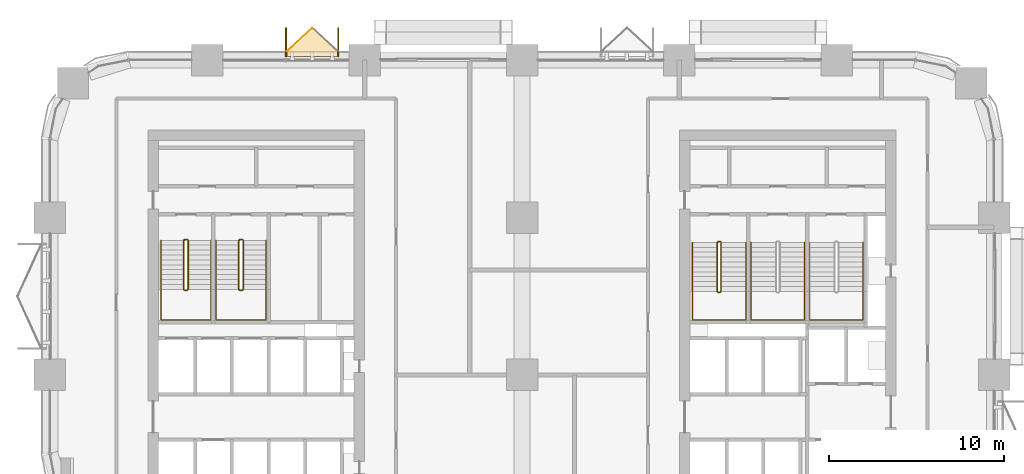
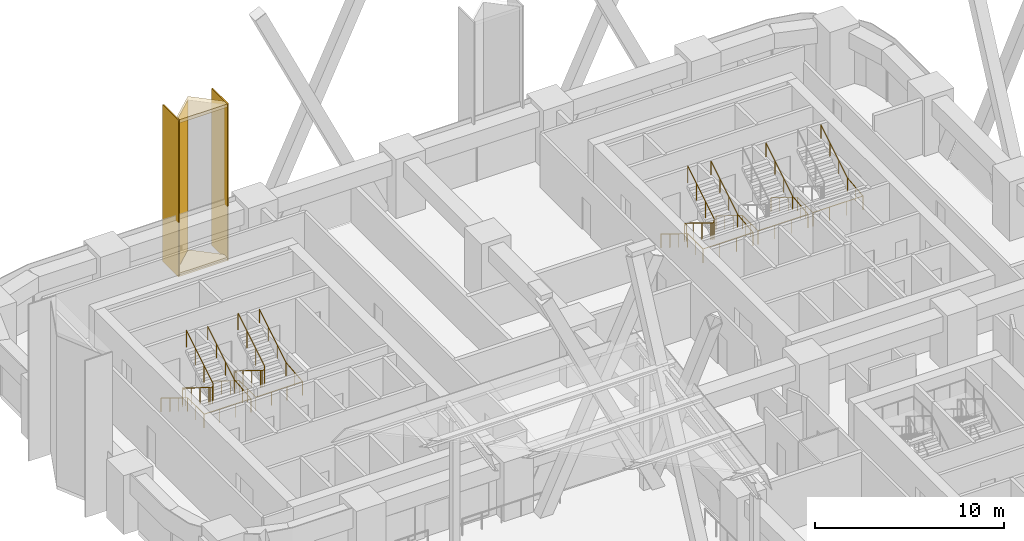
# One storey, part 21 of 22: 8 railings, 5 coverings.
"""IFC4 building model written with IfcOpenShell, lengths in metres."""

from ifc_helpers import new_model, si_unit, direction, frame, origin, origin_2d, place, context, subcontext, project, spatial, polyline, rectangle, circle, outline, extrude, material, layer, layer_set, type_object, element, save


model = new_model("IFC4")

# Units and contexts
model_context = context("Model", 3, precision=1e-05, world=origin(), true_north=direction((0.0, 1.0)))
body_context = subcontext(model_context, "Body", "Model", "MODEL_VIEW")
ifc_project = project(units=[si_unit("LENGTHUNIT", "METRE"), si_unit("AREAUNIT", "SQUARE_METRE"), si_unit("VOLUMEUNIT", "CUBIC_METRE"), si_unit("PLANEANGLEUNIT", "RADIAN"), si_unit("MASSUNIT", "GRAM", prefix="KILO")], contexts=[model_context])

# Site, building, storey
site_placement = place(None, origin())
site = spatial("IfcSite", under=ifc_project, at=site_placement, CompositionType="ELEMENT")
building_placement = place(site_placement, origin())
building = spatial("IfcBuilding", under=site, at=building_placement, Name="Tessera Arch", CompositionType="ELEMENT")
storey_placement = place(building_placement, frame((0.0, 0.0, 77.800048828125)))
storey = spatial("IfcBuildingStorey", under=building, at=storey_placement, Name="L17", CompositionType="ELEMENT", Elevation=77.800048828125)

# Railings
ifc_material_1 = material(Name="Painted steel balustrade", Category="steel")
railing_type_1 = type_object("IfcRailingType", Name="Stair guard 1100", PredefinedType="GUARDRAIL", material=ifc_material_1)
railing_1_placement = place(storey_placement, frame((38.219970703125, 43.6298828125, 0.0)))
element("IfcRailing", 1, at=railing_1_placement, inside=storey, type_object=railing_type_1, Name="L17 S1a stair guard 1", PredefinedType="GUARDRAIL", context=body_context, shape_type="SweptSolid", body=[
    extrude(circle(Radius=0.02392578125, at=origin_2d()), frame((-0.00390625, 0.0, 1.076171875), z_axis=(1.0, 0.0, 0.0), x_axis=(0.0, 1.0, 0.0)), (0.0, 0.0, 1.0), 0.1181640625),
    extrude(circle(Radius=0.02392578125, at=origin_2d()), frame((0.11279296875, 0.000732421875, 1.0732421875), z_axis=(-0.665449600336, -0.206938595226, 0.717184249143), x_axis=(0.296948579431, -0.954893471113, 0.0)), (0.0, 0.0, 1.0), 0.248779296875),
    extrude(circle(Radius=0.02392578125, at=origin_2d()), frame((-0.050048828125, -0.04638671875, 1.24658203125), z_axis=(0.0, -0.851089632645, 0.525020415988), x_axis=(1.0, 0.0, 0.0)), (0.0, 0.0, 1.0), 3.2978515625),
    extrude(circle(Radius=0.02392578125, at=origin_2d()), frame((-0.052978515625, -2.846923828125, 2.97607421875), z_axis=(0.707106781187, -0.707106781187, 0.0), x_axis=(0.707106781187, 0.707106781187, 0.0)), (0.0, 0.0, 1.0), 0.078857421875),
    extrude(circle(Radius=0.02392578125, at=origin_2d()), frame((-0.00390625, -2.89990234375, 2.97607421875), z_axis=(1.0, 0.0, 0.0), x_axis=(0.0, 1.0, 0.0)), (0.0, 0.0, 1.0), 0.1181640625),
    extrude(circle(Radius=0.02392578125, at=origin_2d()), frame((0.109130859375, -2.90087890625, 2.97216796875), z_axis=(0.266739603011, 0.268047150085, 0.925743328097), x_axis=(-0.708833529934, 0.705375805398, 0.0)), (0.0, 0.0, 1.0), 0.19482421875),
    extrude(circle(Radius=0.02392578125, at=origin_2d()), frame((0.159912109375, -2.853271484375, 3.146728515625), z_axis=(0.0, 0.851089632645, 0.525020415988), x_axis=(-1.0, 0.0, 0.0)), (0.0, 0.0, 1.0), 3.2978515625),
    extrude(circle(Radius=0.02099609375, at=origin_2d()), origin(), (0.0, 0.0, 1.0), 1.06396484375),
    extrude(circle(Radius=0.02099609375, at=origin_2d()), frame((0.110107421875, 0.0, 0.0)), (0.0, 0.0, 1.0), 1.06396484375),
    extrude(circle(Radius=0.02099609375, at=origin_2d()), frame((-0.050048828125, -0.0498046875, 0.172607421875)), (0.0, 0.0, 1.0), 1.06396484375),
    extrude(circle(Radius=0.02099609375, at=origin_2d()), frame((-0.050048828125, -0.983154296875, 0.748291015625)), (0.0, 0.0, 1.0), 1.06396484375),
    extrude(circle(Radius=0.02099609375, at=origin_2d()), frame((-0.050048828125, -1.91650390625, 1.32421875)), (0.0, 0.0, 1.0), 1.06396484375),
    extrude(circle(Radius=0.02099609375, at=origin_2d()), frame((-0.050048828125, -2.849853515625, 1.89990234375)), (0.0, 0.0, 1.0), 1.06396484375),
    extrude(circle(Radius=0.02099609375, at=origin_2d()), frame((0.0, -2.89990234375, 1.89990234375)), (0.0, 0.0, 1.0), 1.06396484375),
    extrude(circle(Radius=0.02099609375, at=origin_2d()), frame((0.110107421875, -2.89990234375, 1.89990234375)), (0.0, 0.0, 1.0), 1.06396484375),
    extrude(circle(Radius=0.02099609375, at=origin_2d()), frame((0.159912109375, -2.849853515625, 2.07275390625)), (0.0, 0.0, 1.0), 1.06396484375),
    extrude(circle(Radius=0.02099609375, at=origin_2d()), frame((0.159912109375, -1.91650390625, 2.6484375)), (0.0, 0.0, 1.0), 1.06396484375),
    extrude(circle(Radius=0.02099609375, at=origin_2d()), frame((0.159912109375, -0.983154296875, 3.224365234375)), (0.0, 0.0, 1.0), 1.06396484375),
    extrude(circle(Radius=0.02099609375, at=origin_2d()), frame((0.159912109375, -0.0498046875, 3.800048828125)), (0.0, 0.0, 1.0), 1.06396484375),
])
railing_2_placement = place(storey_placement, frame((7.699951171875, 43.75, 0.0)))
element("IfcRailing", 2, at=railing_2_placement, inside=storey, type_object=railing_type_1, Name="L17 S2a stair guard 1", PredefinedType="GUARDRAIL", context=body_context, shape_type="SweptSolid", body=[
    extrude(circle(Radius=0.02392578125, at=origin_2d()), frame((-0.00390625, 0.0, 1.076171875), z_axis=(1.0, 0.0, 0.0), x_axis=(0.0, 1.0, 0.0)), (0.0, 0.0, 1.0), 0.158203125),
    extrude(circle(Radius=0.02392578125, at=origin_2d()), frame((0.153076171875, 0.000732421875, 1.073486328125), z_axis=(-0.744141464035, -0.186035366009, 0.641595140332), x_axis=(0.242535625036, -0.970142500145, 0.0)), (0.0, 0.0, 1.0), 0.277099609375),
    extrude(circle(Radius=0.02392578125, at=origin_2d()), frame((-0.050048828125, -0.046630859375, 1.24658203125), z_axis=(0.0, -0.851089632645, 0.525020415988), x_axis=(1.0, 0.0, 0.0)), (0.0, 0.0, 1.0), 3.2978515625),
    extrude(circle(Radius=0.02392578125, at=origin_2d()), frame((-0.052978515625, -2.84716796875, 2.97607421875), z_axis=(0.708833529934, -0.705375805398, 0.0), x_axis=(0.705375805398, 0.708833529934, 0.0)), (0.0, 0.0, 1.0), 0.07861328125),
    extrude(circle(Radius=0.02392578125, at=origin_2d()), frame((-0.00390625, -2.89990234375, 2.97607421875), z_axis=(1.0, 0.0, 0.0), x_axis=(0.0, 1.0, 0.0)), (0.0, 0.0, 1.0), 0.158203125),
    extrude(circle(Radius=0.02392578125, at=origin_2d()), frame((0.149169921875, -2.90087890625, 2.97216796875), z_axis=(0.266832911964, 0.266832911964, 0.926067165051), x_axis=(-0.707106781187, 0.707106781187, 0.0)), (0.0, 0.0, 1.0), 0.194580078125),
    extrude(circle(Radius=0.02392578125, at=origin_2d()), frame((0.199951171875, -2.853515625, 3.146728515625), z_axis=(0.0, 0.851089632645, 0.525020415988), x_axis=(-1.0, 0.0, 0.0)), (0.0, 0.0, 1.0), 3.2978515625),
    extrude(circle(Radius=0.02099609375, at=origin_2d()), origin(), (0.0, 0.0, 1.0), 1.06396484375),
    extrude(circle(Radius=0.02099609375, at=origin_2d()), frame((0.150146484375, 0.0, 0.0)), (0.0, 0.0, 1.0), 1.06396484375),
    extrude(circle(Radius=0.02099609375, at=origin_2d()), frame((-0.050048828125, -0.050048828125, 0.172607421875)), (0.0, 0.0, 1.0), 1.06396484375),
    extrude(circle(Radius=0.02099609375, at=origin_2d()), frame((-0.050048828125, -0.9833984375, 0.748291015625)), (0.0, 0.0, 1.0), 1.06396484375),
    extrude(circle(Radius=0.02099609375, at=origin_2d()), frame((-0.050048828125, -1.916748046875, 1.32421875)), (0.0, 0.0, 1.0), 1.06396484375),
    extrude(circle(Radius=0.02099609375, at=origin_2d()), frame((-0.050048828125, -2.85009765625, 1.89990234375)), (0.0, 0.0, 1.0), 1.06396484375),
    extrude(circle(Radius=0.02099609375, at=origin_2d()), frame((0.0, -2.89990234375, 1.89990234375)), (0.0, 0.0, 1.0), 1.06396484375),
    extrude(circle(Radius=0.02099609375, at=origin_2d()), frame((0.150146484375, -2.89990234375, 1.89990234375)), (0.0, 0.0, 1.0), 1.06396484375),
    extrude(circle(Radius=0.02099609375, at=origin_2d()), frame((0.199951171875, -2.85009765625, 2.07275390625)), (0.0, 0.0, 1.0), 1.06396484375),
    extrude(circle(Radius=0.02099609375, at=origin_2d()), frame((0.199951171875, -1.916748046875, 2.6484375)), (0.0, 0.0, 1.0), 1.06396484375),
    extrude(circle(Radius=0.02099609375, at=origin_2d()), frame((0.199951171875, -0.9833984375, 3.224365234375)), (0.0, 0.0, 1.0), 1.06396484375),
    extrude(circle(Radius=0.02099609375, at=origin_2d()), frame((0.199951171875, -0.050048828125, 3.800048828125)), (0.0, 0.0, 1.0), 1.06396484375),
])
railing_3_placement = place(storey_placement, frame((10.85009765625, 43.75, 0.0)))
element("IfcRailing", 3, at=railing_3_placement, inside=storey, type_object=railing_type_1, Name="L17 S2b stair guard 1", PredefinedType="GUARDRAIL", context=body_context, shape_type="SweptSolid", body=[
    extrude(circle(Radius=0.02392578125, at=origin_2d()), frame((-0.00390625, 0.0, 1.076171875), z_axis=(1.0, 0.0, 0.0), x_axis=(0.0, 1.0, 0.0)), (0.0, 0.0, 1.0), 0.157958984375),
    extrude(circle(Radius=0.02392578125, at=origin_2d()), frame((0.15283203125, 0.000732421875, 1.073486328125), z_axis=(-0.743736083135, -0.18616104645, 0.642028584587), x_axis=(0.242814311512, -0.970072785993, 0.0)), (0.0, 0.0, 1.0), 0.27685546875),
    extrude(circle(Radius=0.02392578125, at=origin_2d()), frame((-0.050048828125, -0.046630859375, 1.24658203125), z_axis=(0.0, -0.851089632645, 0.525020415988), x_axis=(1.0, 0.0, 0.0)), (0.0, 0.0, 1.0), 3.2978515625),
    extrude(circle(Radius=0.02392578125, at=origin_2d()), frame((-0.052978515625, -2.84716796875, 2.97607421875), z_axis=(0.708833529934, -0.705375805398, 0.0), x_axis=(0.705375805398, 0.708833529934, 0.0)), (0.0, 0.0, 1.0), 0.07861328125),
    extrude(circle(Radius=0.02392578125, at=origin_2d()), frame((-0.00390625, -2.89990234375, 2.97607421875), z_axis=(1.0, 0.0, 0.0), x_axis=(0.0, 1.0, 0.0)), (0.0, 0.0, 1.0), 0.157958984375),
    extrude(circle(Radius=0.02392578125, at=origin_2d()), frame((0.14892578125, -2.90087890625, 2.97216796875), z_axis=(0.268047150085, 0.266739603011, 0.925743328097), x_axis=(-0.705375805398, 0.708833529934, 0.0)), (0.0, 0.0, 1.0), 0.19482421875),
    extrude(circle(Radius=0.02392578125, at=origin_2d()), frame((0.199951171875, -2.853515625, 3.146728515625), z_axis=(0.0, 0.851089632645, 0.525020415988), x_axis=(-1.0, 0.0, 0.0)), (0.0, 0.0, 1.0), 3.2978515625),
    extrude(circle(Radius=0.02099609375, at=origin_2d()), origin(), (0.0, 0.0, 1.0), 1.06396484375),
    extrude(circle(Radius=0.02099609375, at=origin_2d()), frame((0.14990234375, 0.0, 0.0)), (0.0, 0.0, 1.0), 1.06396484375),
    extrude(circle(Radius=0.02099609375, at=origin_2d()), frame((-0.050048828125, -0.050048828125, 0.172607421875)), (0.0, 0.0, 1.0), 1.06396484375),
    extrude(circle(Radius=0.02099609375, at=origin_2d()), frame((-0.050048828125, -0.9833984375, 0.748291015625)), (0.0, 0.0, 1.0), 1.06396484375),
    extrude(circle(Radius=0.02099609375, at=origin_2d()), frame((-0.050048828125, -1.916748046875, 1.32421875)), (0.0, 0.0, 1.0), 1.06396484375),
    extrude(circle(Radius=0.02099609375, at=origin_2d()), frame((-0.050048828125, -2.85009765625, 1.89990234375)), (0.0, 0.0, 1.0), 1.06396484375),
    extrude(circle(Radius=0.02099609375, at=origin_2d()), frame((0.0, -2.89990234375, 1.89990234375)), (0.0, 0.0, 1.0), 1.06396484375),
    extrude(circle(Radius=0.02099609375, at=origin_2d()), frame((0.14990234375, -2.89990234375, 1.89990234375)), (0.0, 0.0, 1.0), 1.06396484375),
    extrude(circle(Radius=0.02099609375, at=origin_2d()), frame((0.199951171875, -2.85009765625, 2.07275390625)), (0.0, 0.0, 1.0), 1.06396484375),
    extrude(circle(Radius=0.02099609375, at=origin_2d()), frame((0.199951171875, -1.916748046875, 2.6484375)), (0.0, 0.0, 1.0), 1.06396484375),
    extrude(circle(Radius=0.02099609375, at=origin_2d()), frame((0.199951171875, -0.9833984375, 3.224365234375)), (0.0, 0.0, 1.0), 1.06396484375),
    extrude(circle(Radius=0.02099609375, at=origin_2d()), frame((0.199951171875, -0.050048828125, 3.800048828125)), (0.0, 0.0, 1.0), 1.06396484375),
])
ifc_material_2 = material(Name="Painted steel handrail", Category="steel")
railing_type_2 = type_object("IfcRailingType", Name="Stair handrail 900", PredefinedType="HANDRAIL", material=ifc_material_2)
railing_4_placement = place(storey_placement, frame((36.75, 43.580078125, 0.172607421875)))
element("IfcRailing", 4, at=railing_4_placement, inside=storey, type_object=railing_type_2, Name="L17 S1a stair handrail", PredefinedType="HANDRAIL", context=body_context, shape_type="SweptSolid", body=[
    extrude(circle(Radius=0.02392578125, at=origin_2d()), frame((0.0, 0.00341796875, 0.873779296875), z_axis=(0.0, -0.851089632645, 0.525020415988), x_axis=(1.0, 0.0, 0.0)), (0.0, 0.0, 1.0), 3.2978515625),
    extrude(circle(Radius=0.02392578125, at=origin_2d()), frame((0.0, -2.796142578125, 2.60302734375), z_axis=(0.0, -1.0, 0.0), x_axis=(1.0, 0.0, 0.0)), (0.0, 0.0, 1.0), 1.63818359375),
    extrude(circle(Radius=0.02392578125, at=origin_2d()), frame((-0.00390625, -4.43017578125, 2.60302734375), z_axis=(1.0, 0.0, 0.0), x_axis=(0.0, 1.0, 0.0)), (0.0, 0.0, 1.0), 3.05810546875),
    extrude(circle(Radius=0.02392578125, at=origin_2d()), frame((3.050048828125, -4.43408203125, 2.602783203125), z_axis=(0.0, 0.994425187763, 0.105444515941), x_axis=(-1.0, 0.0, 0.0)), (0.0, 0.0, 1.0), 1.647216796875),
    extrude(circle(Radius=0.02392578125, at=origin_2d()), frame((3.050048828125, -2.803466796875, 2.77392578125), z_axis=(0.0, 0.851089632645, 0.525020415988), x_axis=(-1.0, 0.0, 0.0)), (0.0, 0.0, 1.0), 3.2978515625),
    extrude(circle(Radius=0.02099609375, at=origin_2d()), origin(), (0.0, 0.0, 1.0), 0.86376953125),
    extrude(circle(Radius=0.02099609375, at=origin_2d()), frame((0.0, -0.933349609375, 0.57568359375)), (0.0, 0.0, 1.0), 0.86376953125),
    extrude(circle(Radius=0.02099609375, at=origin_2d()), frame((0.0, -1.86669921875, 1.151611328125)), (0.0, 0.0, 1.0), 0.86376953125),
    extrude(circle(Radius=0.02099609375, at=origin_2d()), frame((0.0, -2.800048828125, 1.727294921875)), (0.0, 0.0, 1.0), 0.86376953125),
    extrude(circle(Radius=0.02099609375, at=origin_2d()), frame((0.0, -3.615234375, 1.727294921875)), (0.0, 0.0, 1.0), 0.86376953125),
    extrude(circle(Radius=0.02099609375, at=origin_2d()), frame((0.0, -4.43017578125, 1.727294921875)), (0.0, 0.0, 1.0), 0.86376953125),
    extrude(circle(Radius=0.02099609375, at=origin_2d()), frame((1.0166015625, -4.43017578125, 1.727294921875)), (0.0, 0.0, 1.0), 0.86376953125),
    extrude(circle(Radius=0.02099609375, at=origin_2d()), frame((2.033447265625, -4.43017578125, 1.727294921875)), (0.0, 0.0, 1.0), 0.86376953125),
    extrude(circle(Radius=0.02099609375, at=origin_2d()), frame((3.050048828125, -4.43017578125, 1.727294921875)), (0.0, 0.0, 1.0), 0.86376953125),
    extrude(circle(Radius=0.02099609375, at=origin_2d()), frame((3.050048828125, -3.615234375, 1.813720703125)), (0.0, 0.0, 1.0), 0.86376953125),
    extrude(circle(Radius=0.02099609375, at=origin_2d()), frame((3.050048828125, -2.800048828125, 1.900146484375)), (0.0, 0.0, 1.0), 0.86376953125),
    extrude(circle(Radius=0.02099609375, at=origin_2d()), frame((3.050048828125, -1.86669921875, 2.475830078125)), (0.0, 0.0, 1.0), 0.86376953125),
    extrude(circle(Radius=0.02099609375, at=origin_2d()), frame((3.050048828125, -0.933349609375, 3.0517578125)), (0.0, 0.0, 1.0), 0.86376953125),
    extrude(circle(Radius=0.02099609375, at=origin_2d()), frame((3.050048828125, 0.0, 3.62744140625)), (0.0, 0.0, 1.0), 0.86376953125),
])
railing_5_placement = place(storey_placement, frame((40.10009765625, 43.580078125, 0.172607421875)))
element("IfcRailing", 5, at=railing_5_placement, inside=storey, type_object=railing_type_2, Name="L17 S1b stair handrail", PredefinedType="HANDRAIL", context=body_context, shape_type="SweptSolid", body=[
    extrude(circle(Radius=0.02392578125, at=origin_2d()), frame((0.0, 0.00341796875, 0.873779296875), z_axis=(0.0, -0.851089632645, 0.525020415988), x_axis=(1.0, 0.0, 0.0)), (0.0, 0.0, 1.0), 3.2978515625),
    extrude(circle(Radius=0.02392578125, at=origin_2d()), frame((0.0, -2.796142578125, 2.60302734375), z_axis=(0.0, -1.0, 0.0), x_axis=(1.0, 0.0, 0.0)), (0.0, 0.0, 1.0), 1.63818359375),
    extrude(circle(Radius=0.02392578125, at=origin_2d()), frame((-0.00390625, -4.43017578125, 2.60302734375), z_axis=(1.0, 0.0, 0.0), x_axis=(0.0, 1.0, 0.0)), (0.0, 0.0, 1.0), 3.057861328125),
    extrude(circle(Radius=0.02392578125, at=origin_2d()), frame((3.0498046875, -4.43408203125, 2.602783203125), z_axis=(0.0, 0.994425187763, 0.105444515941), x_axis=(-1.0, 0.0, 0.0)), (0.0, 0.0, 1.0), 1.647216796875),
    extrude(circle(Radius=0.02392578125, at=origin_2d()), frame((3.0498046875, -2.803466796875, 2.77392578125), z_axis=(0.0, 0.851089632645, 0.525020415988), x_axis=(-1.0, 0.0, 0.0)), (0.0, 0.0, 1.0), 3.2978515625),
    extrude(circle(Radius=0.02099609375, at=origin_2d()), origin(), (0.0, 0.0, 1.0), 0.86376953125),
    extrude(circle(Radius=0.02099609375, at=origin_2d()), frame((0.0, -0.933349609375, 0.57568359375)), (0.0, 0.0, 1.0), 0.86376953125),
    extrude(circle(Radius=0.02099609375, at=origin_2d()), frame((0.0, -1.86669921875, 1.151611328125)), (0.0, 0.0, 1.0), 0.86376953125),
    extrude(circle(Radius=0.02099609375, at=origin_2d()), frame((0.0, -2.800048828125, 1.727294921875)), (0.0, 0.0, 1.0), 0.86376953125),
    extrude(circle(Radius=0.02099609375, at=origin_2d()), frame((0.0, -3.615234375, 1.727294921875)), (0.0, 0.0, 1.0), 0.86376953125),
    extrude(circle(Radius=0.02099609375, at=origin_2d()), frame((0.0, -4.43017578125, 1.727294921875)), (0.0, 0.0, 1.0), 0.86376953125),
    extrude(circle(Radius=0.02099609375, at=origin_2d()), frame((1.0166015625, -4.43017578125, 1.727294921875)), (0.0, 0.0, 1.0), 0.86376953125),
    extrude(circle(Radius=0.02099609375, at=origin_2d()), frame((2.033203125, -4.43017578125, 1.727294921875)), (0.0, 0.0, 1.0), 0.86376953125),
    extrude(circle(Radius=0.02099609375, at=origin_2d()), frame((3.0498046875, -4.43017578125, 1.727294921875)), (0.0, 0.0, 1.0), 0.86376953125),
    extrude(circle(Radius=0.02099609375, at=origin_2d()), frame((3.0498046875, -3.615234375, 1.813720703125)), (0.0, 0.0, 1.0), 0.86376953125),
    extrude(circle(Radius=0.02099609375, at=origin_2d()), frame((3.0498046875, -2.800048828125, 1.900146484375)), (0.0, 0.0, 1.0), 0.86376953125),
    extrude(circle(Radius=0.02099609375, at=origin_2d()), frame((3.0498046875, -1.86669921875, 2.475830078125)), (0.0, 0.0, 1.0), 0.86376953125),
    extrude(circle(Radius=0.02099609375, at=origin_2d()), frame((3.0498046875, -0.933349609375, 3.0517578125)), (0.0, 0.0, 1.0), 0.86376953125),
    extrude(circle(Radius=0.02099609375, at=origin_2d()), frame((3.0498046875, 0.0, 3.62744140625)), (0.0, 0.0, 1.0), 0.86376953125),
])
railing_6_placement = place(storey_placement, frame((43.449951171875, 43.580078125, 0.172607421875)))
element("IfcRailing", 6, at=railing_6_placement, inside=storey, type_object=railing_type_2, Name="L17 S1c stair handrail", PredefinedType="HANDRAIL", context=body_context, shape_type="SweptSolid", body=[
    extrude(circle(Radius=0.02392578125, at=origin_2d()), frame((0.0, 0.00341796875, 0.873779296875), z_axis=(0.0, -0.851089632645, 0.525020415988), x_axis=(1.0, 0.0, 0.0)), (0.0, 0.0, 1.0), 3.2978515625),
    extrude(circle(Radius=0.02392578125, at=origin_2d()), frame((0.0, -2.796142578125, 2.60302734375), z_axis=(0.0, -1.0, 0.0), x_axis=(1.0, 0.0, 0.0)), (0.0, 0.0, 1.0), 1.63818359375),
    extrude(circle(Radius=0.02392578125, at=origin_2d()), frame((-0.00390625, -4.43017578125, 2.60302734375), z_axis=(1.0, 0.0, 0.0), x_axis=(0.0, 1.0, 0.0)), (0.0, 0.0, 1.0), 3.05810546875),
    extrude(circle(Radius=0.02392578125, at=origin_2d()), frame((3.050048828125, -4.43408203125, 2.602783203125), z_axis=(0.0, 0.994425187763, 0.105444515941), x_axis=(-1.0, 0.0, 0.0)), (0.0, 0.0, 1.0), 1.647216796875),
    extrude(circle(Radius=0.02392578125, at=origin_2d()), frame((3.050048828125, -2.803466796875, 2.77392578125), z_axis=(0.0, 0.851089632645, 0.525020415988), x_axis=(-1.0, 0.0, 0.0)), (0.0, 0.0, 1.0), 3.2978515625),
    extrude(circle(Radius=0.02099609375, at=origin_2d()), origin(), (0.0, 0.0, 1.0), 0.86376953125),
    extrude(circle(Radius=0.02099609375, at=origin_2d()), frame((0.0, -0.933349609375, 0.57568359375)), (0.0, 0.0, 1.0), 0.86376953125),
    extrude(circle(Radius=0.02099609375, at=origin_2d()), frame((0.0, -1.86669921875, 1.151611328125)), (0.0, 0.0, 1.0), 0.86376953125),
    extrude(circle(Radius=0.02099609375, at=origin_2d()), frame((0.0, -2.800048828125, 1.727294921875)), (0.0, 0.0, 1.0), 0.86376953125),
    extrude(circle(Radius=0.02099609375, at=origin_2d()), frame((0.0, -3.615234375, 1.727294921875)), (0.0, 0.0, 1.0), 0.86376953125),
    extrude(circle(Radius=0.02099609375, at=origin_2d()), frame((0.0, -4.43017578125, 1.727294921875)), (0.0, 0.0, 1.0), 0.86376953125),
    extrude(circle(Radius=0.02099609375, at=origin_2d()), frame((1.0166015625, -4.43017578125, 1.727294921875)), (0.0, 0.0, 1.0), 0.86376953125),
    extrude(circle(Radius=0.02099609375, at=origin_2d()), frame((2.033447265625, -4.43017578125, 1.727294921875)), (0.0, 0.0, 1.0), 0.86376953125),
    extrude(circle(Radius=0.02099609375, at=origin_2d()), frame((3.050048828125, -4.43017578125, 1.727294921875)), (0.0, 0.0, 1.0), 0.86376953125),
    extrude(circle(Radius=0.02099609375, at=origin_2d()), frame((3.050048828125, -3.615234375, 1.813720703125)), (0.0, 0.0, 1.0), 0.86376953125),
    extrude(circle(Radius=0.02099609375, at=origin_2d()), frame((3.050048828125, -2.800048828125, 1.900146484375)), (0.0, 0.0, 1.0), 0.86376953125),
    extrude(circle(Radius=0.02099609375, at=origin_2d()), frame((3.050048828125, -1.86669921875, 2.475830078125)), (0.0, 0.0, 1.0), 0.86376953125),
    extrude(circle(Radius=0.02099609375, at=origin_2d()), frame((3.050048828125, -0.933349609375, 3.0517578125)), (0.0, 0.0, 1.0), 0.86376953125),
    extrude(circle(Radius=0.02099609375, at=origin_2d()), frame((3.050048828125, 0.0, 3.62744140625)), (0.0, 0.0, 1.0), 0.86376953125),
])
railing_7_placement = place(storey_placement, frame((6.35009765625, 43.699951171875, 0.172607421875)))
element("IfcRailing", 7, at=railing_7_placement, inside=storey, type_object=railing_type_2, Name="L17 S2a stair handrail", PredefinedType="HANDRAIL", context=body_context, shape_type="SweptSolid", body=[
    extrude(circle(Radius=0.02392578125, at=origin_2d()), frame((0.0, 0.00341796875, 0.873779296875), z_axis=(0.0, -0.851089632645, 0.525020415988), x_axis=(1.0, 0.0, 0.0)), (0.0, 0.0, 1.0), 3.2978515625),
    extrude(circle(Radius=0.02392578125, at=origin_2d()), frame((0.0, -2.796142578125, 2.60302734375), z_axis=(0.0, -1.0, 0.0), x_axis=(1.0, 0.0, 0.0)), (0.0, 0.0, 1.0), 1.758056640625),
    extrude(circle(Radius=0.02392578125, at=origin_2d()), frame((-0.00390625, -4.550048828125, 2.60302734375), z_axis=(1.0, 0.0, 0.0), x_axis=(0.0, 1.0, 0.0)), (0.0, 0.0, 1.0), 2.85791015625),
    extrude(circle(Radius=0.02392578125, at=origin_2d()), frame((2.849853515625, -4.553955078125, 2.602783203125), z_axis=(0.0, 0.995157418657, 0.098294008428), x_axis=(-1.0, 0.0, 0.0)), (0.0, 0.0, 1.0), 1.7666015625),
    extrude(circle(Radius=0.02392578125, at=origin_2d()), frame((2.849853515625, -2.803466796875, 2.77392578125), z_axis=(0.0, 0.851089632645, 0.525020415988), x_axis=(-1.0, 0.0, 0.0)), (0.0, 0.0, 1.0), 3.2978515625),
    extrude(circle(Radius=0.02099609375, at=origin_2d()), origin(), (0.0, 0.0, 1.0), 0.86376953125),
    extrude(circle(Radius=0.02099609375, at=origin_2d()), frame((0.0, -0.933349609375, 0.57568359375)), (0.0, 0.0, 1.0), 0.86376953125),
    extrude(circle(Radius=0.02099609375, at=origin_2d()), frame((0.0, -1.86669921875, 1.151611328125)), (0.0, 0.0, 1.0), 0.86376953125),
    extrude(circle(Radius=0.02099609375, at=origin_2d()), frame((0.0, -2.800048828125, 1.727294921875)), (0.0, 0.0, 1.0), 0.86376953125),
    extrude(circle(Radius=0.02099609375, at=origin_2d()), frame((0.0, -3.675048828125, 1.727294921875)), (0.0, 0.0, 1.0), 0.86376953125),
    extrude(circle(Radius=0.02099609375, at=origin_2d()), frame((0.0, -4.550048828125, 1.727294921875)), (0.0, 0.0, 1.0), 0.86376953125),
    extrude(circle(Radius=0.02099609375, at=origin_2d()), frame((0.949951171875, -4.550048828125, 1.727294921875)), (0.0, 0.0, 1.0), 0.86376953125),
    extrude(circle(Radius=0.02099609375, at=origin_2d()), frame((1.89990234375, -4.550048828125, 1.727294921875)), (0.0, 0.0, 1.0), 0.86376953125),
    extrude(circle(Radius=0.02099609375, at=origin_2d()), frame((2.849853515625, -4.550048828125, 1.727294921875)), (0.0, 0.0, 1.0), 0.86376953125),
    extrude(circle(Radius=0.02099609375, at=origin_2d()), frame((2.849853515625, -3.675048828125, 1.813720703125)), (0.0, 0.0, 1.0), 0.86376953125),
    extrude(circle(Radius=0.02099609375, at=origin_2d()), frame((2.849853515625, -2.800048828125, 1.900146484375)), (0.0, 0.0, 1.0), 0.86376953125),
    extrude(circle(Radius=0.02099609375, at=origin_2d()), frame((2.849853515625, -1.86669921875, 2.475830078125)), (0.0, 0.0, 1.0), 0.86376953125),
    extrude(circle(Radius=0.02099609375, at=origin_2d()), frame((2.849853515625, -0.933349609375, 3.0517578125)), (0.0, 0.0, 1.0), 0.86376953125),
    extrude(circle(Radius=0.02099609375, at=origin_2d()), frame((2.849853515625, 0.0, 3.62744140625)), (0.0, 0.0, 1.0), 0.86376953125),
])
railing_8_placement = place(storey_placement, frame((9.5, 43.699951171875, 0.172607421875)))
element("IfcRailing", 8, at=railing_8_placement, inside=storey, type_object=railing_type_2, Name="L17 S2b stair handrail", PredefinedType="HANDRAIL", context=body_context, shape_type="SweptSolid", body=[
    extrude(circle(Radius=0.02392578125, at=origin_2d()), frame((0.0, 0.00341796875, 0.873779296875), z_axis=(0.0, -0.851089632645, 0.525020415988), x_axis=(1.0, 0.0, 0.0)), (0.0, 0.0, 1.0), 3.2978515625),
    extrude(circle(Radius=0.02392578125, at=origin_2d()), frame((0.0, -2.796142578125, 2.60302734375), z_axis=(0.0, -1.0, 0.0), x_axis=(1.0, 0.0, 0.0)), (0.0, 0.0, 1.0), 1.758056640625),
    extrude(circle(Radius=0.02392578125, at=origin_2d()), frame((-0.00390625, -4.550048828125, 2.60302734375), z_axis=(1.0, 0.0, 0.0), x_axis=(0.0, 1.0, 0.0)), (0.0, 0.0, 1.0), 2.858154296875),
    extrude(circle(Radius=0.02392578125, at=origin_2d()), frame((2.85009765625, -4.553955078125, 2.602783203125), z_axis=(0.0, 0.995157418657, 0.098294008428), x_axis=(-1.0, 0.0, 0.0)), (0.0, 0.0, 1.0), 1.7666015625),
    extrude(circle(Radius=0.02392578125, at=origin_2d()), frame((2.85009765625, -2.803466796875, 2.77392578125), z_axis=(0.0, 0.851089632645, 0.525020415988), x_axis=(-1.0, 0.0, 0.0)), (0.0, 0.0, 1.0), 3.2978515625),
    extrude(circle(Radius=0.02099609375, at=origin_2d()), origin(), (0.0, 0.0, 1.0), 0.86376953125),
    extrude(circle(Radius=0.02099609375, at=origin_2d()), frame((0.0, -0.933349609375, 0.57568359375)), (0.0, 0.0, 1.0), 0.86376953125),
    extrude(circle(Radius=0.02099609375, at=origin_2d()), frame((0.0, -1.86669921875, 1.151611328125)), (0.0, 0.0, 1.0), 0.86376953125),
    extrude(circle(Radius=0.02099609375, at=origin_2d()), frame((0.0, -2.800048828125, 1.727294921875)), (0.0, 0.0, 1.0), 0.86376953125),
    extrude(circle(Radius=0.02099609375, at=origin_2d()), frame((0.0, -3.675048828125, 1.727294921875)), (0.0, 0.0, 1.0), 0.86376953125),
    extrude(circle(Radius=0.02099609375, at=origin_2d()), frame((0.0, -4.550048828125, 1.727294921875)), (0.0, 0.0, 1.0), 0.86376953125),
    extrude(circle(Radius=0.02099609375, at=origin_2d()), frame((0.949951171875, -4.550048828125, 1.727294921875)), (0.0, 0.0, 1.0), 0.86376953125),
    extrude(circle(Radius=0.02099609375, at=origin_2d()), frame((1.900146484375, -4.550048828125, 1.727294921875)), (0.0, 0.0, 1.0), 0.86376953125),
    extrude(circle(Radius=0.02099609375, at=origin_2d()), frame((2.85009765625, -4.550048828125, 1.727294921875)), (0.0, 0.0, 1.0), 0.86376953125),
    extrude(circle(Radius=0.02099609375, at=origin_2d()), frame((2.85009765625, -3.675048828125, 1.813720703125)), (0.0, 0.0, 1.0), 0.86376953125),
    extrude(circle(Radius=0.02099609375, at=origin_2d()), frame((2.85009765625, -2.800048828125, 1.900146484375)), (0.0, 0.0, 1.0), 0.86376953125),
    extrude(circle(Radius=0.02099609375, at=origin_2d()), frame((2.85009765625, -1.86669921875, 2.475830078125)), (0.0, 0.0, 1.0), 0.86376953125),
    extrude(circle(Radius=0.02099609375, at=origin_2d()), frame((2.85009765625, -0.933349609375, 3.0517578125)), (0.0, 0.0, 1.0), 0.86376953125),
    extrude(circle(Radius=0.02099609375, at=origin_2d()), frame((2.85009765625, 0.0, 3.62744140625)), (0.0, 0.0, 1.0), 0.86376953125),
])

# Coverings
ifc_material_3 = material(Name="Anodised aluminium pale metal", Category="aluminium")
ifc_layer_1 = layer(ifc_material_3, 0.080078125)
ifc_layer_set_1 = layer_set([ifc_layer_1], Name="Window box cheek")
covering_type_1 = type_object("IfcCoveringType", Name="Window box cheek", PredefinedType="CLADDING", material=ifc_layer_set_1)
covering_1_placement = place(storey_placement, origin())
element("IfcCovering", 9, at=covering_1_placement, inside=storey, type_object=covering_type_1, Name="Window box N54.0/3.0 1x3 cheek", PredefinedType="CLADDING", context=body_context, shape_type="SweptSolid", body=[
    extrude(outline(polyline([(16.530029296875, 55.85009765625), (16.449951171875, 55.85009765625), (16.449951171875, 54.199951171875), (16.530029296875, 54.199951171875), (16.530029296875, 55.85009765625)])), origin(), (0.0, 0.0, 1.0), 10.099853515625),
])
covering_2_placement = place(storey_placement, origin())
element("IfcCovering", 10, at=covering_2_placement, inside=storey, type_object=covering_type_1, Name="Window box N54.0/3.0 1x3 cheek", PredefinedType="CLADDING", context=body_context, shape_type="SweptSolid", body=[
    extrude(outline(polyline([(13.550048828125, 55.85009765625), (13.469970703125, 55.85009765625), (13.469970703125, 54.199951171875), (13.550048828125, 54.199951171875), (13.550048828125, 55.85009765625)])), origin(), (0.0, 0.0, 1.0), 10.099853515625),
])
ifc_material_4 = material(Name="Anodised aluminium pale metal", Category="aluminium")
ifc_layer_2 = layer(ifc_material_4, 0.219970703125)
ifc_layer_set_2 = layer_set([ifc_layer_2], Name="Window box frame plate pale metal")
covering_type_2 = type_object("IfcCoveringType", Name="Window box frame plate pale metal", PredefinedType="CLADDING", material=ifc_layer_set_2)
for number, where, name in (
    (11, (0.0, 0.0, 0.0), "Window box N54.0/3.0 1x3 floor"),
    (12, (0.0, 0.0, 9.8798828125), "Window box N54.0/3.0 1x3 roof"),
):
    element("IfcCovering", number, at=place(storey_placement, frame(where)), inside=storey, type_object=covering_type_2, Name=name, PredefinedType="CLADDING", context=body_context, shape_type="SweptSolid", body=[
        extrude(outline(polyline([(16.449951171875, 54.510009765625), (15.0, 55.85009765625), (13.550048828125, 54.510009765625), (13.550048828125, 54.199951171875), (16.449951171875, 54.199951171875), (16.449951171875, 54.510009765625)])), origin(), (0.0, 0.0, 1.0), 0.219970703125),
    ])
ifc_material_5 = material(Name="Anodised aluminium pale metal", Category="aluminium")
ifc_layer_3 = layer(ifc_material_5, 0.028076171875)
ifc_layer_set_3 = layer_set([ifc_layer_3], Name="Window box side panel")
covering_type_3 = type_object("IfcCoveringType", Name="Window box side panel", PredefinedType="CLADDING", material=ifc_layer_set_3)
covering_3_placement = place(storey_placement, frame((14.27490234375, 55.179931640625, 0.22021484375), z_axis=(0.0, 0.0, 1.0), x_axis=(0.734414958885, 0.678700720617, 0.0)))
element("IfcCovering", 13, at=covering_3_placement, inside=storey, type_object=covering_type_3, Name="Window box N54.0/3.0 1x3 side panel", PredefinedType="CLADDING", context=body_context, shape_type="SweptSolid", body=[
    extrude(rectangle(XDim=1.974365234375, YDim=0.028076171875, at=origin_2d()), origin(), (0.0, 0.0, 1.0), 9.659912109375),
])

save(model, "model.ifc")
